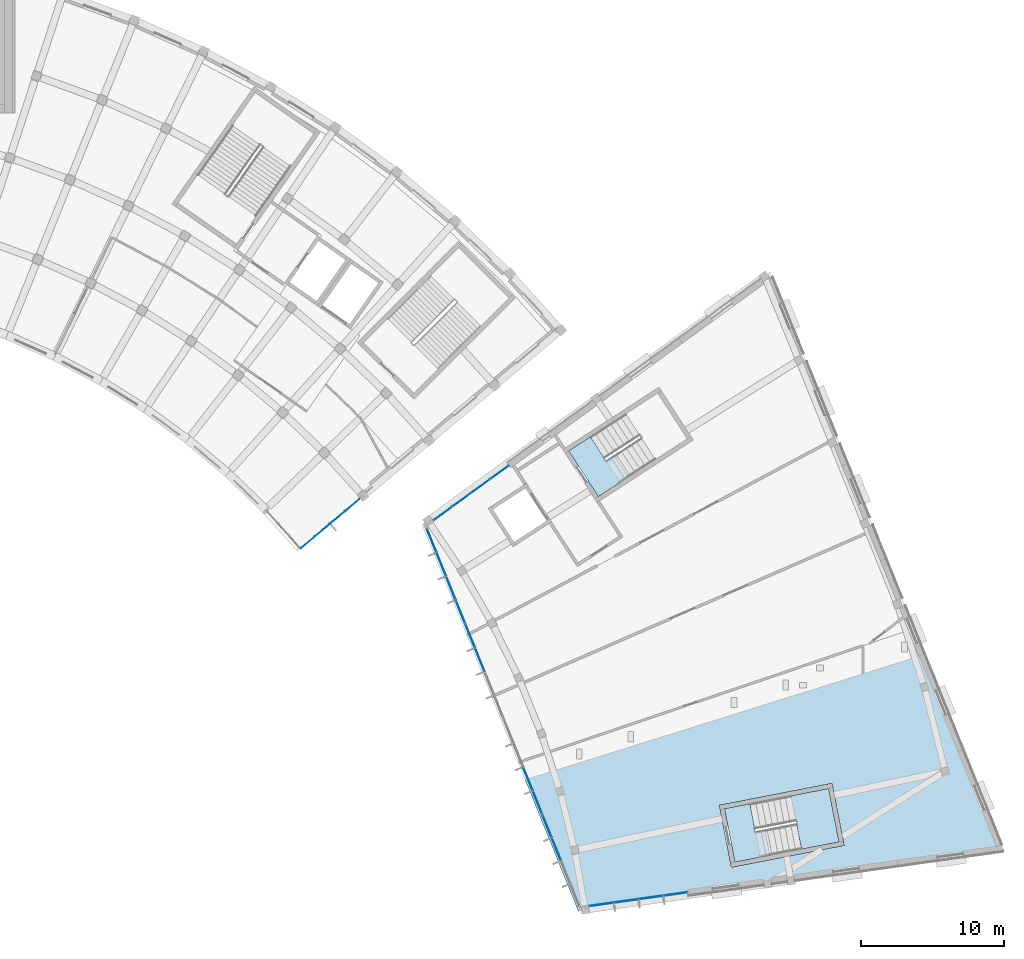
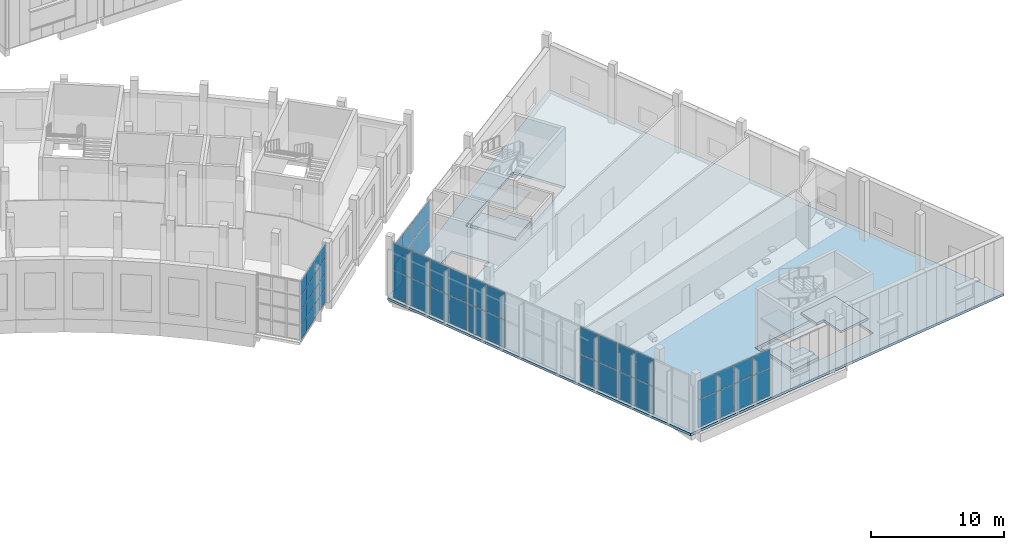
# One storey, part 29 of 87: 52 plates, 6 slabs, 9 elements without a shape of their own.
"""IFC4 building model written with IfcOpenShell, lengths in metres."""

from ifc_helpers import new_model, si_unit, direction, frame, origin, origin_2d, place, context, subcontext, project, spatial, polyline, rectangle, outline, extrude, material, layer, layer_set, type_object, element, aggregate, save


model = new_model("IFC4")

# Units and contexts
model_context = context("Model", 3, precision=1e-05, world=origin(), true_north=direction((0.0, 1.0)))
body_context = subcontext(model_context, "Body", "Model", "MODEL_VIEW")
ifc_project = project(units=[si_unit("LENGTHUNIT", "METRE"), si_unit("AREAUNIT", "SQUARE_METRE"), si_unit("VOLUMEUNIT", "CUBIC_METRE"), si_unit("PLANEANGLEUNIT", "RADIAN"), si_unit("MASSUNIT", "GRAM", prefix="KILO")], contexts=[model_context])

# Site, building, storey
site_placement = place(None, origin())
site = spatial("IfcSite", under=ifc_project, at=site_placement, CompositionType="ELEMENT")
building_placement = place(site_placement, origin())
building = spatial("IfcBuilding", under=site, at=building_placement, Name="Lunette Opera House", CompositionType="ELEMENT")
storey_placement = place(building_placement, frame((0.0, 0.0, 11.5)))
storey = spatial("IfcBuildingStorey", under=building, at=storey_placement, Name="L02", CompositionType="ELEMENT", Elevation=11.5)

# Slabs
ifc_material_1 = material(Name="Concrete C35/45", Category="concrete")
ifc_layer_1 = layer(ifc_material_1, 0.219970703125)
ifc_layer_set_1 = layer_set([ifc_layer_1], Name="Concrete C35/45")
slab_type_1 = type_object("IfcSlabType", Name="CORE LANDING SLAB 220", PredefinedType="LANDING", material=ifc_layer_set_1)
slab_1_placement = place(storey_placement, frame((0.0, 0.0, -0.219970703125)))
element("IfcSlab", 1, at=slab_1_placement, inside=storey, type_object=slab_type_1, Name="ST21 floor landing", PredefinedType="LANDING", context=body_context, shape_type="SweptSolid", body=[
    extrude(outline(polyline([(154.761962890625, 40.426025390625), (156.280029296875, 41.412109375), (157.260009765625, 39.902099609375), (157.251953125, 39.89697265625), (157.361083984375, 39.72900390625), (157.947998046875, 40.110107421875), (158.927978515625, 38.60009765625), (156.83203125, 37.239013671875), (154.761962890625, 40.426025390625)])), origin(), (0.0, 0.0, 1.0), 0.219970703125),
])
slab_2_placement = place(storey_placement, frame((0.0, 0.0, -0.219970703125)))
element("IfcSlab", 2, at=slab_2_placement, inside=storey, type_object=slab_type_1, Name="ST22 floor landing", PredefinedType="LANDING", context=body_context, shape_type="SweptSolid", body=[
    extrude(outline(polyline([(166.35205078125, 11.739990234375), (165.626953125, 15.469970703125), (167.404052734375, 15.81494140625), (167.748046875, 14.048095703125), (167.738037109375, 14.0458984375), (167.77587890625, 13.85009765625), (168.462890625, 13.98388671875), (168.805908203125, 12.217041015625), (166.35205078125, 11.739990234375)])), origin(), (0.0, 0.0, 1.0), 0.219970703125),
])

# Curtain wall, plates
ifc_material_2 = material(Name="Aluminium", Category="aluminium")
ifc_layer_2 = layer(ifc_material_2, 0.159912109375)
ifc_layer_set_2 = layer_set([ifc_layer_2], Name="Aluminium")
curtain_wall_type_1 = type_object("IfcCurtainWallType", Name="CORNER CURTAIN WALL", PredefinedType="NOTDEFINED", material=ifc_layer_set_2)
curtain_wall_1_placement = place(storey_placement, origin())
curtain_wall_1 = element("IfcCurtainWall", 3, at=curtain_wall_1_placement, inside=storey, type_object=curtain_wall_type_1, Name="Corner Curtain Wall GC-E2 L02", PredefinedType="NOTDEFINED")
ifc_material_3 = material(Name="Laminated glass", Category="glass")
ifc_layer_3 = layer(ifc_material_3, 0.028076171875)
ifc_layer_set_3 = layer_set([ifc_layer_3], Name="Laminated glass")
plate_type = type_object("IfcPlateType", Name="CURTAIN PANEL LAMINATED GLASS 28", PredefinedType="CURTAIN_PANEL", material=ifc_layer_set_3)
plate_1_placement = place(storey_placement, frame((136.592529296875, 34.0615234375, 0.06005859375), z_axis=(0.0, 0.0, 1.0), x_axis=(0.766000309852, 0.642840201999, 0.0)))
plate_1 = element("IfcPlate", 4, at=plate_1_placement, type_object=plate_type, Name="FC-X2176 panel 1.1", PredefinedType="CURTAIN_PANEL", context=body_context, shape_type="SweptSolid", body=[
    extrude(rectangle(XDim=1.259765625, YDim=0.028076171875, at=origin_2d()), origin(), (0.0, 0.0, 1.0), 1.284912109375),
])
plate_2_placement = place(storey_placement, frame((136.592529296875, 34.0615234375, 1.405029296875), z_axis=(0.0, 0.0, 1.0), x_axis=(0.766000309852, 0.642840201999, 0.0)))
plate_2 = element("IfcPlate", 5, at=plate_2_placement, type_object=plate_type, Name="FC-X2176 panel 1.2", PredefinedType="CURTAIN_PANEL", context=body_context, shape_type="SweptSolid", body=[
    extrude(rectangle(XDim=1.259765625, YDim=0.028076171875, at=origin_2d()), origin(), (0.0, 0.0, 1.0), 1.31494140625),
])
plate_3_placement = place(storey_placement, frame((136.592529296875, 34.0615234375, 2.780029296875), z_axis=(0.0, 0.0, 1.0), x_axis=(0.766000309852, 0.642840201999, 0.0)))
plate_3 = element("IfcPlate", 6, at=plate_3_placement, type_object=plate_type, Name="FC-X2176 panel 1.3", PredefinedType="CURTAIN_PANEL", context=body_context, shape_type="SweptSolid", body=[
    extrude(rectangle(XDim=1.259765625, YDim=0.028076171875, at=origin_2d()), origin(), (0.0, 0.0, 1.0), 1.31494140625),
])
plate_4_placement = place(storey_placement, frame((136.592529296875, 34.0615234375, 4.1552734375), z_axis=(0.0, 0.0, 1.0), x_axis=(0.766000309852, 0.642840201999, 0.0)))
plate_4 = element("IfcPlate", 7, at=plate_4_placement, type_object=plate_type, Name="FC-X2176 panel 1.4", PredefinedType="CURTAIN_PANEL", context=body_context, shape_type="SweptSolid", body=[
    extrude(rectangle(XDim=1.259765625, YDim=0.028076171875, at=origin_2d()), origin(), (0.0, 0.0, 1.0), 1.284912109375),
])
plate_5_placement = place(storey_placement, frame((137.614990234375, 34.919677734375, 0.06005859375), z_axis=(0.0, 0.0, 1.0), x_axis=(0.766000309852, 0.642840201999, 0.0)))
plate_5 = element("IfcPlate", 8, at=plate_5_placement, type_object=plate_type, Name="FC-X2176 panel 2.1", PredefinedType="CURTAIN_PANEL", context=body_context, shape_type="SweptSolid", body=[
    extrude(rectangle(XDim=1.289794921875, YDim=0.028076171875, at=origin_2d()), origin(), (0.0, 0.0, 1.0), 1.284912109375),
])
plate_6_placement = place(storey_placement, frame((137.614990234375, 34.919677734375, 1.405029296875), z_axis=(0.0, 0.0, 1.0), x_axis=(0.766000309852, 0.642840201999, 0.0)))
plate_6 = element("IfcPlate", 9, at=plate_6_placement, type_object=plate_type, Name="FC-X2176 panel 2.2", PredefinedType="CURTAIN_PANEL", context=body_context, shape_type="SweptSolid", body=[
    extrude(rectangle(XDim=1.289794921875, YDim=0.028076171875, at=origin_2d()), origin(), (0.0, 0.0, 1.0), 1.31494140625),
])
plate_7_placement = place(storey_placement, frame((137.614990234375, 34.919677734375, 2.780029296875), z_axis=(0.0, 0.0, 1.0), x_axis=(0.766000309852, 0.642840201999, 0.0)))
plate_7 = element("IfcPlate", 10, at=plate_7_placement, type_object=plate_type, Name="FC-X2176 panel 2.3", PredefinedType="CURTAIN_PANEL", context=body_context, shape_type="SweptSolid", body=[
    extrude(rectangle(XDim=1.289794921875, YDim=0.028076171875, at=origin_2d()), origin(), (0.0, 0.0, 1.0), 1.31494140625),
])
plate_8_placement = place(storey_placement, frame((137.614990234375, 34.919677734375, 4.1552734375), z_axis=(0.0, 0.0, 1.0), x_axis=(0.766000309852, 0.642840201999, 0.0)))
plate_8 = element("IfcPlate", 11, at=plate_8_placement, type_object=plate_type, Name="FC-X2176 panel 2.4", PredefinedType="CURTAIN_PANEL", context=body_context, shape_type="SweptSolid", body=[
    extrude(rectangle(XDim=1.289794921875, YDim=0.028076171875, at=origin_2d()), origin(), (0.0, 0.0, 1.0), 1.284912109375),
])
plate_9_placement = place(storey_placement, frame((138.64892578125, 35.787353515625, 0.06005859375), z_axis=(0.0, 0.0, 1.0), x_axis=(0.766000309852, 0.642840201999, 0.0)))
plate_9 = element("IfcPlate", 12, at=plate_9_placement, type_object=plate_type, Name="FC-X2176 panel 3.1", PredefinedType="CURTAIN_PANEL", context=body_context, shape_type="SweptSolid", body=[
    extrude(rectangle(XDim=1.289794921875, YDim=0.028076171875, at=origin_2d()), origin(), (0.0, 0.0, 1.0), 1.284912109375),
])
plate_10_placement = place(storey_placement, frame((138.64892578125, 35.787353515625, 1.405029296875), z_axis=(0.0, 0.0, 1.0), x_axis=(0.766000309852, 0.642840201999, 0.0)))
plate_10 = element("IfcPlate", 13, at=plate_10_placement, type_object=plate_type, Name="FC-X2176 panel 3.2", PredefinedType="CURTAIN_PANEL", context=body_context, shape_type="SweptSolid", body=[
    extrude(rectangle(XDim=1.289794921875, YDim=0.028076171875, at=origin_2d()), origin(), (0.0, 0.0, 1.0), 1.31494140625),
])
plate_11_placement = place(storey_placement, frame((138.64892578125, 35.787353515625, 2.780029296875), z_axis=(0.0, 0.0, 1.0), x_axis=(0.766000309852, 0.642840201999, 0.0)))
plate_11 = element("IfcPlate", 14, at=plate_11_placement, type_object=plate_type, Name="FC-X2176 panel 3.3", PredefinedType="CURTAIN_PANEL", context=body_context, shape_type="SweptSolid", body=[
    extrude(rectangle(XDim=1.289794921875, YDim=0.028076171875, at=origin_2d()), origin(), (0.0, 0.0, 1.0), 1.31494140625),
])
plate_12_placement = place(storey_placement, frame((138.64892578125, 35.787353515625, 4.1552734375), z_axis=(0.0, 0.0, 1.0), x_axis=(0.766000309852, 0.642840201999, 0.0)))
plate_12 = element("IfcPlate", 15, at=plate_12_placement, type_object=plate_type, Name="FC-X2176 panel 3.4", PredefinedType="CURTAIN_PANEL", context=body_context, shape_type="SweptSolid", body=[
    extrude(rectangle(XDim=1.289794921875, YDim=0.028076171875, at=origin_2d()), origin(), (0.0, 0.0, 1.0), 1.284912109375),
])
plate_13_placement = place(storey_placement, frame((139.671630859375, 36.6455078125, 0.06005859375), z_axis=(0.0, 0.0, 1.0), x_axis=(0.766000309852, 0.642840201999, 0.0)))
plate_13 = element("IfcPlate", 16, at=plate_13_placement, type_object=plate_type, Name="FC-X2176 panel 4.1", PredefinedType="CURTAIN_PANEL", context=body_context, shape_type="SweptSolid", body=[
    extrude(rectangle(XDim=1.259765625, YDim=0.028076171875, at=origin_2d()), origin(), (0.0, 0.0, 1.0), 1.284912109375),
])
plate_14_placement = place(storey_placement, frame((139.671630859375, 36.6455078125, 1.405029296875), z_axis=(0.0, 0.0, 1.0), x_axis=(0.766000309852, 0.642840201999, 0.0)))
plate_14 = element("IfcPlate", 17, at=plate_14_placement, type_object=plate_type, Name="FC-X2176 panel 4.2", PredefinedType="CURTAIN_PANEL", context=body_context, shape_type="SweptSolid", body=[
    extrude(rectangle(XDim=1.259765625, YDim=0.028076171875, at=origin_2d()), origin(), (0.0, 0.0, 1.0), 1.31494140625),
])
plate_15_placement = place(storey_placement, frame((139.671630859375, 36.6455078125, 2.780029296875), z_axis=(0.0, 0.0, 1.0), x_axis=(0.766000309852, 0.642840201999, 0.0)))
plate_15 = element("IfcPlate", 18, at=plate_15_placement, type_object=plate_type, Name="FC-X2176 panel 4.3", PredefinedType="CURTAIN_PANEL", context=body_context, shape_type="SweptSolid", body=[
    extrude(rectangle(XDim=1.259765625, YDim=0.028076171875, at=origin_2d()), origin(), (0.0, 0.0, 1.0), 1.31494140625),
])
plate_16_placement = place(storey_placement, frame((139.671630859375, 36.6455078125, 4.1552734375), z_axis=(0.0, 0.0, 1.0), x_axis=(0.766000309852, 0.642840201999, 0.0)))
plate_16 = element("IfcPlate", 19, at=plate_16_placement, type_object=plate_type, Name="FC-X2176 panel 4.4", PredefinedType="CURTAIN_PANEL", context=body_context, shape_type="SweptSolid", body=[
    extrude(rectangle(XDim=1.259765625, YDim=0.028076171875, at=origin_2d()), origin(), (0.0, 0.0, 1.0), 1.284912109375),
])
aggregate(curtain_wall_1, [plate_1, plate_2, plate_3, plate_4, plate_5, plate_6, plate_7, plate_8, plate_9, plate_10, plate_11, plate_12, plate_13, plate_14, plate_15, plate_16])

ifc_material_4 = material(Name="Aluminium", Category="aluminium")
ifc_layer_4 = layer(ifc_material_4, 0.139892578125)
ifc_layer_set_4 = layer_set([ifc_layer_4], Name="Aluminium")
curtain_wall_type_2 = type_object("IfcCurtainWallType", Name="STUDIO CURTAIN WALL", PredefinedType="NOTDEFINED", material=ifc_layer_set_4)
curtain_wall_2_placement = place(storey_placement, origin())
curtain_wall_2 = element("IfcCurtainWall", 20, at=curtain_wall_2_placement, inside=storey, type_object=curtain_wall_type_2, Name="Studio Curtain Wall F01 L02", PredefinedType="NOTDEFINED")
plate_17_placement = place(storey_placement, frame((145.21630859375, 34.156982421875, 0.06005859375), z_axis=(0.0, 0.0, 1.0), x_axis=(0.37464584491, -0.927167994967, 0.0)))
plate_17 = element("IfcPlate", 21, at=plate_17_placement, type_object=plate_type, Name="SB-X2013 panel 1.1", PredefinedType="CURTAIN_PANEL", context=body_context, shape_type="SweptSolid", body=[
    extrude(rectangle(XDim=1.6962890625, YDim=0.028076171875, at=origin_2d()), origin(), (0.0, 0.0, 1.0), 2.510009765625),
])
plate_18_placement = place(storey_placement, frame((145.21630859375, 34.156982421875, 2.6298828125), z_axis=(0.0, 0.0, 1.0), x_axis=(0.37464584491, -0.927167994967, 0.0)))
plate_18 = element("IfcPlate", 22, at=plate_18_placement, type_object=plate_type, Name="SB-X2013 panel 1.2", PredefinedType="CURTAIN_PANEL", context=body_context, shape_type="SweptSolid", body=[
    extrude(rectangle(XDim=1.6962890625, YDim=0.028076171875, at=origin_2d()), origin(), (0.0, 0.0, 1.0), 2.510009765625),
])
plate_19_placement = place(storey_placement, frame((145.8798828125, 32.5146484375, 0.06005859375), z_axis=(0.0, 0.0, 1.0), x_axis=(0.37464584491, -0.927167994967, 0.0)))
plate_19 = element("IfcPlate", 23, at=plate_19_placement, type_object=plate_type, Name="SB-X2013 panel 2.1", PredefinedType="CURTAIN_PANEL", context=body_context, shape_type="SweptSolid", body=[
    extrude(rectangle(XDim=1.726318359375, YDim=0.028076171875, at=origin_2d()), origin(), (0.0, 0.0, 1.0), 2.510009765625),
])
plate_20_placement = place(storey_placement, frame((145.8798828125, 32.5146484375, 2.6298828125), z_axis=(0.0, 0.0, 1.0), x_axis=(0.37464584491, -0.927167994967, 0.0)))
plate_20 = element("IfcPlate", 24, at=plate_20_placement, type_object=plate_type, Name="SB-X2013 panel 2.2", PredefinedType="CURTAIN_PANEL", context=body_context, shape_type="SweptSolid", body=[
    extrude(rectangle(XDim=1.726318359375, YDim=0.028076171875, at=origin_2d()), origin(), (0.0, 0.0, 1.0), 2.510009765625),
])
plate_21_placement = place(storey_placement, frame((146.549072265625, 30.8583984375, 0.06005859375), z_axis=(0.0, 0.0, 1.0), x_axis=(0.37464584491, -0.927167994967, 0.0)))
plate_21 = element("IfcPlate", 25, at=plate_21_placement, type_object=plate_type, Name="SB-X2013 panel 3.1", PredefinedType="CURTAIN_PANEL", context=body_context, shape_type="SweptSolid", body=[
    extrude(rectangle(XDim=1.726318359375, YDim=0.028076171875, at=origin_2d()), origin(), (0.0, 0.0, 1.0), 2.510009765625),
])
plate_22_placement = place(storey_placement, frame((146.549072265625, 30.8583984375, 2.6298828125), z_axis=(0.0, 0.0, 1.0), x_axis=(0.37464584491, -0.927167994967, 0.0)))
plate_22 = element("IfcPlate", 26, at=plate_22_placement, type_object=plate_type, Name="SB-X2013 panel 3.2", PredefinedType="CURTAIN_PANEL", context=body_context, shape_type="SweptSolid", body=[
    extrude(rectangle(XDim=1.726318359375, YDim=0.028076171875, at=origin_2d()), origin(), (0.0, 0.0, 1.0), 2.510009765625),
])
plate_23_placement = place(storey_placement, frame((147.212646484375, 29.216064453125, 0.06005859375), z_axis=(0.0, 0.0, 1.0), x_axis=(0.37464584491, -0.927167994967, 0.0)))
plate_23 = element("IfcPlate", 27, at=plate_23_placement, type_object=plate_type, Name="SB-X2013 panel 4.1", PredefinedType="CURTAIN_PANEL", context=body_context, shape_type="SweptSolid", body=[
    extrude(rectangle(XDim=1.6962890625, YDim=0.028076171875, at=origin_2d()), origin(), (0.0, 0.0, 1.0), 2.510009765625),
])
plate_24_placement = place(storey_placement, frame((147.212646484375, 29.216064453125, 2.6298828125), z_axis=(0.0, 0.0, 1.0), x_axis=(0.37464584491, -0.927167994967, 0.0)))
plate_24 = element("IfcPlate", 28, at=plate_24_placement, type_object=plate_type, Name="SB-X2013 panel 4.2", PredefinedType="CURTAIN_PANEL", context=body_context, shape_type="SweptSolid", body=[
    extrude(rectangle(XDim=1.6962890625, YDim=0.028076171875, at=origin_2d()), origin(), (0.0, 0.0, 1.0), 2.510009765625),
])
aggregate(curtain_wall_2, [plate_17, plate_18, plate_19, plate_20, plate_21, plate_22, plate_23, plate_24])

curtain_wall_3_placement = place(storey_placement, origin())
curtain_wall_3 = element("IfcCurtainWall", 29, at=curtain_wall_3_placement, inside=storey, type_object=curtain_wall_type_2, Name="Studio Curtain Wall F02 L02", PredefinedType="NOTDEFINED")
plate_25_placement = place(storey_placement, frame((147.904296875, 27.50390625, 0.06005859375), z_axis=(0.0, 0.0, 1.0), x_axis=(0.374597237762, -0.927187634441, 0.0)))
plate_25 = element("IfcPlate", 30, at=plate_25_placement, type_object=plate_type, Name="SB-X2014 panel 1.1", PredefinedType="CURTAIN_PANEL", context=body_context, shape_type="SweptSolid", body=[
    extrude(rectangle(XDim=1.696533203125, YDim=0.028076171875, at=origin_2d()), origin(), (0.0, 0.0, 1.0), 2.510009765625),
])
plate_26_placement = place(storey_placement, frame((147.904296875, 27.50390625, 2.6298828125), z_axis=(0.0, 0.0, 1.0), x_axis=(0.374597237762, -0.927187634441, 0.0)))
plate_26 = element("IfcPlate", 31, at=plate_26_placement, type_object=plate_type, Name="SB-X2014 panel 1.2", PredefinedType="CURTAIN_PANEL", context=body_context, shape_type="SweptSolid", body=[
    extrude(rectangle(XDim=1.696533203125, YDim=0.028076171875, at=origin_2d()), origin(), (0.0, 0.0, 1.0), 2.510009765625),
])
plate_27_placement = place(storey_placement, frame((148.56787109375, 25.861328125, 0.06005859375), z_axis=(0.0, 0.0, 1.0), x_axis=(0.374597237762, -0.927187634441, 0.0)))
plate_27 = element("IfcPlate", 32, at=plate_27_placement, type_object=plate_type, Name="SB-X2014 panel 2.1", PredefinedType="CURTAIN_PANEL", context=body_context, shape_type="SweptSolid", body=[
    extrude(rectangle(XDim=1.7265625, YDim=0.028076171875, at=origin_2d()), origin(), (0.0, 0.0, 1.0), 2.510009765625),
])
plate_28_placement = place(storey_placement, frame((148.56787109375, 25.861328125, 2.6298828125), z_axis=(0.0, 0.0, 1.0), x_axis=(0.374597237762, -0.927187634441, 0.0)))
plate_28 = element("IfcPlate", 33, at=plate_28_placement, type_object=plate_type, Name="SB-X2014 panel 2.2", PredefinedType="CURTAIN_PANEL", context=body_context, shape_type="SweptSolid", body=[
    extrude(rectangle(XDim=1.7265625, YDim=0.028076171875, at=origin_2d()), origin(), (0.0, 0.0, 1.0), 2.510009765625),
])
aggregate(curtain_wall_3, [plate_25, plate_26, plate_27, plate_28])

curtain_wall_4_placement = place(storey_placement, origin())
curtain_wall_4 = element("IfcCurtainWall", 34, at=curtain_wall_4_placement, inside=storey, type_object=curtain_wall_type_2, Name="Studio Curtain Wall F03 L02", PredefinedType="NOTDEFINED")
plate_29_placement = place(storey_placement, frame((151.925048828125, 17.55126953125, 0.06005859375), z_axis=(0.0, 0.0, 1.0), x_axis=(0.37464584491, -0.927167994967, 0.0)))
plate_29 = element("IfcPlate", 35, at=plate_29_placement, type_object=plate_type, Name="SB-X2015 panel 3.1", PredefinedType="CURTAIN_PANEL", context=body_context, shape_type="SweptSolid", body=[
    extrude(rectangle(XDim=1.726318359375, YDim=0.028076171875, at=origin_2d()), origin(), (0.0, 0.0, 1.0), 2.510009765625),
])
plate_30_placement = place(storey_placement, frame((151.925048828125, 17.55126953125, 2.6298828125), z_axis=(0.0, 0.0, 1.0), x_axis=(0.37464584491, -0.927167994967, 0.0)))
plate_30 = element("IfcPlate", 36, at=plate_30_placement, type_object=plate_type, Name="SB-X2015 panel 3.2", PredefinedType="CURTAIN_PANEL", context=body_context, shape_type="SweptSolid", body=[
    extrude(rectangle(XDim=1.726318359375, YDim=0.028076171875, at=origin_2d()), origin(), (0.0, 0.0, 1.0), 2.510009765625),
])
plate_31_placement = place(storey_placement, frame((152.5888671875, 15.908935546875, 0.06005859375), z_axis=(0.0, 0.0, 1.0), x_axis=(0.37464584491, -0.927167994967, 0.0)))
plate_31 = element("IfcPlate", 37, at=plate_31_placement, type_object=plate_type, Name="SB-X2015 panel 4.1", PredefinedType="CURTAIN_PANEL", context=body_context, shape_type="SweptSolid", body=[
    extrude(rectangle(XDim=1.6962890625, YDim=0.028076171875, at=origin_2d()), origin(), (0.0, 0.0, 1.0), 2.510009765625),
])
plate_32_placement = place(storey_placement, frame((152.5888671875, 15.908935546875, 2.6298828125), z_axis=(0.0, 0.0, 1.0), x_axis=(0.37464584491, -0.927167994967, 0.0)))
plate_32 = element("IfcPlate", 38, at=plate_32_placement, type_object=plate_type, Name="SB-X2015 panel 4.2", PredefinedType="CURTAIN_PANEL", context=body_context, shape_type="SweptSolid", body=[
    extrude(rectangle(XDim=1.6962890625, YDim=0.028076171875, at=origin_2d()), origin(), (0.0, 0.0, 1.0), 2.510009765625),
])
aggregate(curtain_wall_4, [plate_29, plate_30, plate_31, plate_32])

curtain_wall_5_placement = place(storey_placement, origin())
curtain_wall_5 = element("IfcCurtainWall", 39, at=curtain_wall_5_placement, inside=storey, type_object=curtain_wall_type_2, Name="Studio Curtain Wall F04 L02", PredefinedType="NOTDEFINED")
plate_33_placement = place(storey_placement, frame((153.26904296875, 14.224609375, 0.06005859375), z_axis=(0.0, 0.0, 1.0), x_axis=(0.374609092545, -0.927182844849, 0.0)))
plate_33 = element("IfcPlate", 40, at=plate_33_placement, type_object=plate_type, Name="SB-X2016 panel 1.1", PredefinedType="CURTAIN_PANEL", context=body_context, shape_type="SweptSolid", body=[
    extrude(rectangle(XDim=1.636474609375, YDim=0.028076171875, at=origin_2d()), origin(), (0.0, 0.0, 1.0), 2.510009765625),
])
plate_34_placement = place(storey_placement, frame((153.26904296875, 14.224609375, 2.6298828125), z_axis=(0.0, 0.0, 1.0), x_axis=(0.374609092545, -0.927182844849, 0.0)))
plate_34 = element("IfcPlate", 41, at=plate_34_placement, type_object=plate_type, Name="SB-X2016 panel 1.2", PredefinedType="CURTAIN_PANEL", context=body_context, shape_type="SweptSolid", body=[
    extrude(rectangle(XDim=1.636474609375, YDim=0.028076171875, at=origin_2d()), origin(), (0.0, 0.0, 1.0), 2.510009765625),
])
plate_35_placement = place(storey_placement, frame((153.91015625, 12.637939453125, 0.06005859375), z_axis=(0.0, 0.0, 1.0), x_axis=(0.374609092545, -0.927182844849, 0.0)))
plate_35 = element("IfcPlate", 42, at=plate_35_placement, type_object=plate_type, Name="SB-X2016 panel 2.1", PredefinedType="CURTAIN_PANEL", context=body_context, shape_type="SweptSolid", body=[
    extrude(rectangle(XDim=1.66650390625, YDim=0.028076171875, at=origin_2d()), origin(), (0.0, 0.0, 1.0), 2.510009765625),
])
plate_36_placement = place(storey_placement, frame((153.91015625, 12.637939453125, 2.6298828125), z_axis=(0.0, 0.0, 1.0), x_axis=(0.374609092545, -0.927182844849, 0.0)))
plate_36 = element("IfcPlate", 43, at=plate_36_placement, type_object=plate_type, Name="SB-X2016 panel 2.2", PredefinedType="CURTAIN_PANEL", context=body_context, shape_type="SweptSolid", body=[
    extrude(rectangle(XDim=1.66650390625, YDim=0.028076171875, at=origin_2d()), origin(), (0.0, 0.0, 1.0), 2.510009765625),
])
aggregate(curtain_wall_5, [plate_33, plate_34, plate_35, plate_36])

curtain_wall_6_placement = place(storey_placement, origin())
curtain_wall_6 = element("IfcCurtainWall", 44, at=curtain_wall_6_placement, inside=storey, type_object=curtain_wall_type_2, Name="Studio Curtain Wall F05 L02", PredefinedType="NOTDEFINED")
plate_37_placement = place(storey_placement, frame((157.060546875, 8.793212890625, 0.06005859375), z_axis=(0.0, 0.0, 1.0), x_axis=(0.990263078154, 0.139208606221, 0.0)))
plate_37 = element("IfcPlate", 45, at=plate_37_placement, type_object=plate_type, Name="SB-X2017 panel 1.1", PredefinedType="CURTAIN_PANEL", context=body_context, shape_type="SweptSolid", body=[
    extrude(rectangle(XDim=1.650146484375, YDim=0.028076171875, at=origin_2d()), origin(), (0.0, 0.0, 1.0), 2.510009765625),
])
plate_38_placement = place(storey_placement, frame((157.060546875, 8.793212890625, 2.630126953125), z_axis=(0.0, 0.0, 1.0), x_axis=(0.990263078154, 0.139208606221, 0.0)))
plate_38 = element("IfcPlate", 46, at=plate_38_placement, type_object=plate_type, Name="SB-X2017 panel 1.2", PredefinedType="CURTAIN_PANEL", context=body_context, shape_type="SweptSolid", body=[
    extrude(rectangle(XDim=1.650146484375, YDim=0.028076171875, at=origin_2d()), origin(), (0.0, 0.0, 1.0), 1.7099609375),
])
plate_39_placement = place(storey_placement, frame((158.768798828125, 9.033447265625, 0.06005859375), z_axis=(0.0, 0.0, 1.0), x_axis=(0.990263078154, 0.139208606221, 0.0)))
plate_39 = element("IfcPlate", 47, at=plate_39_placement, type_object=plate_type, Name="SB-X2017 panel 2.1", PredefinedType="CURTAIN_PANEL", context=body_context, shape_type="SweptSolid", body=[
    extrude(rectangle(XDim=1.68017578125, YDim=0.028076171875, at=origin_2d()), origin(), (0.0, 0.0, 1.0), 2.510009765625),
])
plate_40_placement = place(storey_placement, frame((158.768798828125, 9.033447265625, 2.630126953125), z_axis=(0.0, 0.0, 1.0), x_axis=(0.990263078154, 0.139208606221, 0.0)))
plate_40 = element("IfcPlate", 48, at=plate_40_placement, type_object=plate_type, Name="SB-X2017 panel 2.2", PredefinedType="CURTAIN_PANEL", context=body_context, shape_type="SweptSolid", body=[
    extrude(rectangle(XDim=1.68017578125, YDim=0.028076171875, at=origin_2d()), origin(), (0.0, 0.0, 1.0), 1.7099609375),
])
plate_41_placement = place(storey_placement, frame((160.4921875, 9.275634765625, 0.06005859375), z_axis=(0.0, 0.0, 1.0), x_axis=(0.990263078154, 0.139208606221, 0.0)))
plate_41 = element("IfcPlate", 49, at=plate_41_placement, type_object=plate_type, Name="SB-X2017 panel 3.1", PredefinedType="CURTAIN_PANEL", context=body_context, shape_type="SweptSolid", body=[
    extrude(rectangle(XDim=1.68017578125, YDim=0.028076171875, at=origin_2d()), origin(), (0.0, 0.0, 1.0), 2.510009765625),
])
plate_42_placement = place(storey_placement, frame((160.4921875, 9.275634765625, 2.630126953125), z_axis=(0.0, 0.0, 1.0), x_axis=(0.990263078154, 0.139208606221, 0.0)))
plate_42 = element("IfcPlate", 50, at=plate_42_placement, type_object=plate_type, Name="SB-X2017 panel 3.2", PredefinedType="CURTAIN_PANEL", context=body_context, shape_type="SweptSolid", body=[
    extrude(rectangle(XDim=1.68017578125, YDim=0.028076171875, at=origin_2d()), origin(), (0.0, 0.0, 1.0), 1.7099609375),
])
plate_43_placement = place(storey_placement, frame((162.200439453125, 9.515869140625, 0.06005859375), z_axis=(0.0, 0.0, 1.0), x_axis=(0.990263078154, 0.139208606221, 0.0)))
plate_43 = element("IfcPlate", 51, at=plate_43_placement, type_object=plate_type, Name="SB-X2017 panel 4.1", PredefinedType="CURTAIN_PANEL", context=body_context, shape_type="SweptSolid", body=[
    extrude(rectangle(XDim=1.650146484375, YDim=0.028076171875, at=origin_2d()), origin(), (0.0, 0.0, 1.0), 2.510009765625),
])
plate_44_placement = place(storey_placement, frame((162.200439453125, 9.515869140625, 2.630126953125), z_axis=(0.0, 0.0, 1.0), x_axis=(0.990263078154, 0.139208606221, 0.0)))
plate_44 = element("IfcPlate", 52, at=plate_44_placement, type_object=plate_type, Name="SB-X2017 panel 4.2", PredefinedType="CURTAIN_PANEL", context=body_context, shape_type="SweptSolid", body=[
    extrude(rectangle(XDim=1.650146484375, YDim=0.028076171875, at=origin_2d()), origin(), (0.0, 0.0, 1.0), 1.7099609375),
])
aggregate(curtain_wall_6, [plate_37, plate_38, plate_39, plate_40, plate_41, plate_42, plate_43, plate_44])

curtain_wall_7_placement = place(storey_placement, origin())
curtain_wall_7 = element("IfcCurtainWall", 53, at=curtain_wall_7_placement, inside=storey, type_object=curtain_wall_type_2, Name="Studio Curtain Wall F18 L02", PredefinedType="NOTDEFINED")
plate_45_placement = place(storey_placement, frame((149.93359375, 38.92578125, 0.06005859375), z_axis=(0.0, 0.0, 1.0), x_axis=(-0.809026920488, -0.587771589927, 0.0)))
plate_45 = element("IfcPlate", 54, at=plate_45_placement, type_object=plate_type, Name="SB-X2018 panel 1.1", PredefinedType="CURTAIN_PANEL", context=body_context, shape_type="SweptSolid", body=[
    extrude(rectangle(XDim=1.544921875, YDim=0.028076171875, at=origin_2d()), origin(), (0.0, 0.0, 1.0), 2.510009765625),
])
plate_46_placement = place(storey_placement, frame((149.93359375, 38.92578125, 2.630126953125), z_axis=(0.0, 0.0, 1.0), x_axis=(-0.809026920488, -0.587771589927, 0.0)))
plate_46 = element("IfcPlate", 55, at=plate_46_placement, type_object=plate_type, Name="SB-X2018 panel 1.2", PredefinedType="CURTAIN_PANEL", context=body_context, shape_type="SweptSolid", body=[
    extrude(rectangle(XDim=1.544921875, YDim=0.028076171875, at=origin_2d()), origin(), (0.0, 0.0, 1.0), 1.7099609375),
])
plate_47_placement = place(storey_placement, frame((148.622802734375, 37.973388671875, 0.06005859375), z_axis=(0.0, 0.0, 1.0), x_axis=(-0.809026920488, -0.587771589927, 0.0)))
plate_47 = element("IfcPlate", 56, at=plate_47_placement, type_object=plate_type, Name="SB-X2018 panel 2.1", PredefinedType="CURTAIN_PANEL", context=body_context, shape_type="SweptSolid", body=[
    extrude(rectangle(XDim=1.574951171875, YDim=0.028076171875, at=origin_2d()), origin(), (0.0, 0.0, 1.0), 2.510009765625),
])
plate_48_placement = place(storey_placement, frame((148.622802734375, 37.973388671875, 2.630126953125), z_axis=(0.0, 0.0, 1.0), x_axis=(-0.809026920488, -0.587771589927, 0.0)))
plate_48 = element("IfcPlate", 57, at=plate_48_placement, type_object=plate_type, Name="SB-X2018 panel 2.2", PredefinedType="CURTAIN_PANEL", context=body_context, shape_type="SweptSolid", body=[
    extrude(rectangle(XDim=1.574951171875, YDim=0.028076171875, at=origin_2d()), origin(), (0.0, 0.0, 1.0), 1.7099609375),
])
plate_49_placement = place(storey_placement, frame((147.300048828125, 37.012451171875, 0.06005859375), z_axis=(0.0, 0.0, 1.0), x_axis=(-0.809026920488, -0.587771589927, 0.0)))
plate_49 = element("IfcPlate", 58, at=plate_49_placement, type_object=plate_type, Name="SB-X2018 panel 3.1", PredefinedType="CURTAIN_PANEL", context=body_context, shape_type="SweptSolid", body=[
    extrude(rectangle(XDim=1.574951171875, YDim=0.028076171875, at=origin_2d()), origin(), (0.0, 0.0, 1.0), 2.510009765625),
])
plate_50_placement = place(storey_placement, frame((147.300048828125, 37.012451171875, 2.630126953125), z_axis=(0.0, 0.0, 1.0), x_axis=(-0.809026920488, -0.587771589927, 0.0)))
plate_50 = element("IfcPlate", 59, at=plate_50_placement, type_object=plate_type, Name="SB-X2018 panel 3.2", PredefinedType="CURTAIN_PANEL", context=body_context, shape_type="SweptSolid", body=[
    extrude(rectangle(XDim=1.574951171875, YDim=0.028076171875, at=origin_2d()), origin(), (0.0, 0.0, 1.0), 1.7099609375),
])
plate_51_placement = place(storey_placement, frame((145.989501953125, 36.060302734375, 0.06005859375), z_axis=(0.0, 0.0, 1.0), x_axis=(-0.809026920488, -0.587771589927, 0.0)))
plate_51 = element("IfcPlate", 60, at=plate_51_placement, type_object=plate_type, Name="SB-X2018 panel 4.1", PredefinedType="CURTAIN_PANEL", context=body_context, shape_type="SweptSolid", body=[
    extrude(rectangle(XDim=1.544921875, YDim=0.028076171875, at=origin_2d()), origin(), (0.0, 0.0, 1.0), 2.510009765625),
])
plate_52_placement = place(storey_placement, frame((145.989501953125, 36.060302734375, 2.630126953125), z_axis=(0.0, 0.0, 1.0), x_axis=(-0.809026920488, -0.587771589927, 0.0)))
plate_52 = element("IfcPlate", 61, at=plate_52_placement, type_object=plate_type, Name="SB-X2018 panel 4.2", PredefinedType="CURTAIN_PANEL", context=body_context, shape_type="SweptSolid", body=[
    extrude(rectangle(XDim=1.544921875, YDim=0.028076171875, at=origin_2d()), origin(), (0.0, 0.0, 1.0), 1.7099609375),
])
aggregate(curtain_wall_7, [plate_45, plate_46, plate_47, plate_48, plate_49, plate_50, plate_51, plate_52])

# Slab
ifc_material_5 = material(Name="Concrete C35/45", Category="concrete")
ifc_layer_5 = layer(ifc_material_5, 0.219970703125)
ifc_layer_set_5 = layer_set([ifc_layer_5], Name="Concrete C35/45")
slab_type_2 = type_object("IfcSlabType", Name="FLOOR SLAB 220", PredefinedType="FLOOR", material=ifc_layer_set_5)
slab_3_placement = place(storey_placement, frame((0.0, 0.0, -0.219970703125)))
element("IfcSlab", 62, at=slab_3_placement, inside=storey, type_object=slab_type_2, Name="slab-SB-L02-F1", PredefinedType="FLOOR", context=body_context, shape_type="SweptSolid", body=[
    extrude(outline(polyline([(185.1240234375, 12.52587890625), (168.81201171875, 52.90087890625), (144.541015625, 35.26708984375), (155.416015625, 8.35009765625), (185.1240234375, 12.52587890625)]), holes=[polyline([(165.27587890625, 15.70703125), (173.12890625, 17.23291015625), (173.968017578125, 12.9140625), (166.114990234375, 11.387939453125), (165.27587890625, 15.70703125)]), polyline([(151.822998046875, 38.158935546875), (153.56591796875, 35.47607421875), (150.882080078125, 33.73291015625), (149.138916015625, 36.4169921875), (151.822998046875, 38.158935546875)]), polyline([(161.056884765625, 44.8720703125), (163.452880859375, 41.180908203125), (156.743896484375, 36.823974609375), (154.346923828125, 40.513916015625), (161.056884765625, 44.8720703125)])]), origin(), (0.0, 0.0, 1.0), 0.219970703125),
])

# Stair, slab
ifc_material_6 = material(Name="Concrete C35/45", Category="concrete")
stair_type = type_object("IfcStairType", Name="DOGLEG STAIR 1800", PredefinedType="HALF_TURN_STAIR", material=ifc_material_6)
stair_1_placement = place(storey_placement, origin())
stair_1 = element("IfcStair", 63, at=stair_1_placement, inside=storey, type_object=stair_type, Name="L02 stair ST21", PredefinedType="HALF_TURN_STAIR")
ifc_material_7 = material(Name="Concrete C35/45", Category="concrete")
ifc_layer_6 = layer(ifc_material_7, 0.199951171875)
ifc_layer_set_6 = layer_set([ifc_layer_6], Name="Concrete C35/45")
slab_type_3 = type_object("IfcSlabType", Name="STAIR LANDING SLAB 200", PredefinedType="LANDING", material=ifc_layer_set_6)
slab_4_placement = place(storey_placement, frame((0.0, 0.0, 2.550048828125)))
slab_4 = element("IfcSlab", 64, at=slab_4_placement, type_object=slab_type_3, Name="ST21 landing 2", PredefinedType="LANDING", context=body_context, shape_type="SweptSolid", body=[
    extrude(outline(polyline([(154.761962890625, 40.426025390625), (156.280029296875, 41.412109375), (157.260009765625, 39.902099609375), (157.251953125, 39.89697265625), (157.361083984375, 39.72900390625), (157.947998046875, 40.110107421875), (158.927978515625, 38.60009765625), (156.83203125, 37.239013671875), (154.761962890625, 40.426025390625)])), origin(), (0.0, 0.0, 1.0), 0.199951171875),
])
aggregate(stair_1, [slab_4])

# Stair, slabs
stair_2_placement = place(storey_placement, origin())
stair_2 = element("IfcStair", 65, at=stair_2_placement, inside=storey, type_object=stair_type, Name="L02 stair ST22", PredefinedType="HALF_TURN_STAIR")
slab_5_placement = place(storey_placement, frame((0.0, 0.0, 1.175048828125)))
slab_5 = element("IfcSlab", 66, at=slab_5_placement, type_object=slab_type_3, Name="ST22 landing 1", PredefinedType="LANDING", context=body_context, shape_type="SweptSolid", body=[
    extrude(outline(polyline([(173.616943359375, 13.15087890625), (170.9951171875, 12.64208984375), (170.652099609375, 14.408935546875), (170.662109375, 14.410888671875), (170.6240234375, 14.60693359375), (169.93701171875, 14.472900390625), (169.593017578125, 16.239990234375), (172.89208984375, 16.881103515625), (173.616943359375, 13.15087890625)])), origin(), (0.0, 0.0, 1.0), 0.199951171875),
])
slab_6_placement = place(storey_placement, frame((0.0, 0.0, 2.550048828125)))
slab_6 = element("IfcSlab", 67, at=slab_6_placement, type_object=slab_type_3, Name="ST22 landing 2", PredefinedType="LANDING", context=body_context, shape_type="SweptSolid", body=[
    extrude(outline(polyline([(166.35205078125, 11.739990234375), (165.626953125, 15.469970703125), (167.404052734375, 15.81494140625), (167.748046875, 14.048095703125), (167.738037109375, 14.0458984375), (167.77587890625, 13.85009765625), (168.462890625, 13.98388671875), (168.805908203125, 12.217041015625), (166.35205078125, 11.739990234375)])), origin(), (0.0, 0.0, 1.0), 0.199951171875),
])
aggregate(stair_2, [slab_5, slab_6])

save(model, "model.ifc")
